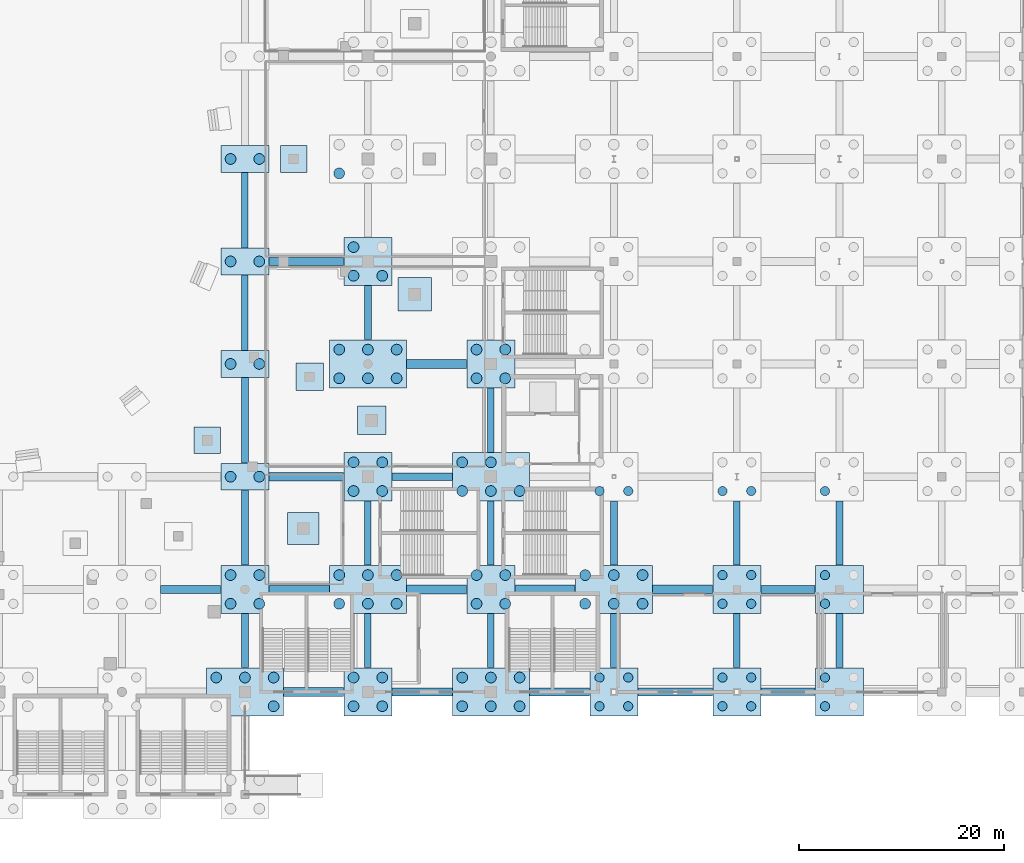
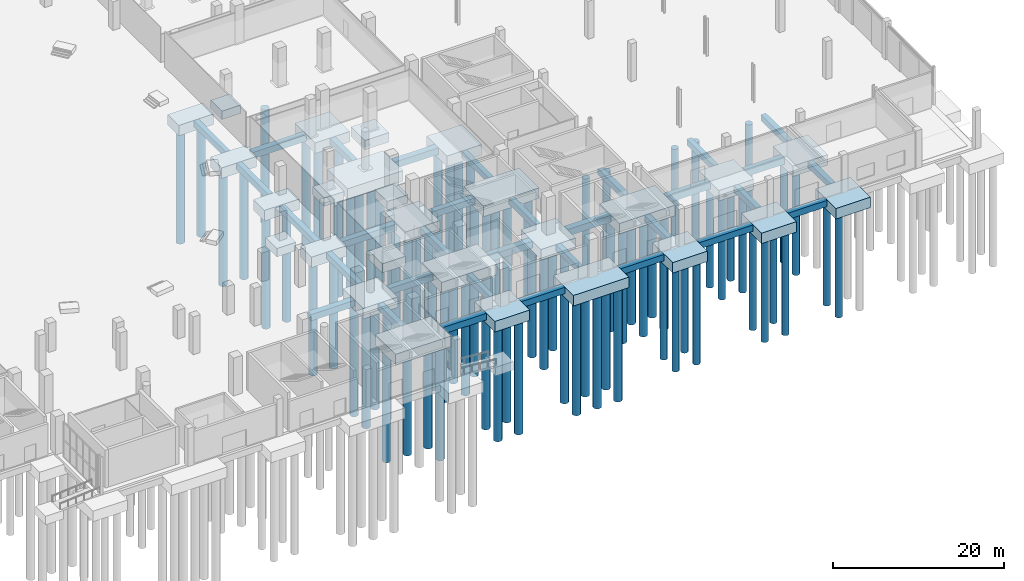
# One storey, part 6 of 70: 86 piles, 59 footings.
"""IFC4 building model written with IfcOpenShell, lengths in metres."""

from ifc_helpers import new_model, si_unit, direction, frame, origin, origin_2d, place, context, subcontext, project, spatial, rectangle, circle, extrude, material, layer, layer_set, material_profile, profile_set, type_object, element, save


model = new_model("IFC4")

# Units and contexts
model_context = context("Model", 3, precision=1e-05, world=origin(), true_north=direction((0.0, 1.0)))
body_context = subcontext(model_context, "Body", "Model", "MODEL_VIEW")
ifc_project = project(units=[si_unit("LENGTHUNIT", "METRE"), si_unit("AREAUNIT", "SQUARE_METRE"), si_unit("VOLUMEUNIT", "CUBIC_METRE"), si_unit("PLANEANGLEUNIT", "RADIAN"), si_unit("MASSUNIT", "GRAM", prefix="KILO")], contexts=[model_context])

# Site, building, storey
site_placement = place(None, origin())
site = spatial("IfcSite", under=ifc_project, at=site_placement, CompositionType="ELEMENT")
building_placement = place(site_placement, origin())
building = spatial("IfcBuilding", under=site, at=building_placement, Name="Brinegate Civic Arena", CompositionType="ELEMENT")
storey_placement = place(building_placement, origin())
storey = spatial("IfcBuildingStorey", under=building, at=storey_placement, Name="L00", CompositionType="ELEMENT", Elevation=0.0)

# Footings
ifc_material = material(Name="Concrete C40/50", Category="concrete")
ifc_layer_1 = layer(ifc_material, 1.5, Name="Concrete C40/50")
ifc_layer_set_1 = layer_set([ifc_layer_1], Name="Concrete C40/50")
footing_type_1 = type_object("IfcFootingType", Name="CAP-2PILE-3800", PredefinedType="PILE_CAP", material=ifc_layer_set_1)
for number, where, z_axis, x_axis, name in (
    (1, (132.0, 31.0, -1.800048828125), (0.0, 0.0, 1.0), (1.0, 0.0, 0.0), "Pile Cap CAP-124 (12-D)"),
    (2, (132.0, 42.0, -1.800048828125), (0.0, 0.0, 1.0), (1.0, 0.0, 0.0), "Pile Cap CAP-125 (12-E)"),
    (3, (132.0, 52.0, -1.800048828125), (0.0, 0.0, 1.0), (1.0, 0.0, 0.0), "Pile Cap CAP-126 (12-F)"),
    (4, (132.0, 62.0, -1.800048828125), (0.0, 0.0, 1.0), (1.0, 0.0, 0.0), "Pile Cap CAP-127 (12-G)"),
):
    element("IfcFooting", number, at=place(storey_placement, frame(where, z_axis=z_axis, x_axis=x_axis)), inside=storey, type_object=footing_type_1, Name=name, PredefinedType="PILE_CAP", context=body_context, shape_type="SweptSolid", body=[
        extrude(rectangle(XDim=4.699951171875, YDim=2.60009765625, at=origin_2d()), origin(), (0.0, 0.0, 1.0), 1.5),
    ])
ifc_layer_2 = layer(ifc_material, 1.5, Name="Concrete C40/50")
ifc_layer_set_2 = layer_set([ifc_layer_2], Name="Concrete C40/50")
footing_type_2 = type_object("IfcFootingType", Name="CAP-4PILE-3800", PredefinedType="PILE_CAP", material=ifc_layer_set_2)
for number, where, z_axis, x_axis, name in (
    (5, (132.0, 20.0, -1.800048828125), (0.0, 0.0, 1.0), (1.0, 0.0, 0.0), "Pile Cap CAP-123 (12-C)"),
    (6, (144.0, 10.0, -1.800048828125), (0.0, 0.0, 1.0), (1.0, 0.0, 0.0), "Pile Cap CAP-134 (13-B)"),
    (7, (144.0, 31.0, -1.800048828125), (0.0, 0.0, 1.0), (1.0, 0.0, 0.0), "Pile Cap CAP-136 (13-D)"),
    (8, (144.0, 52.0, -1.800048828125), (0.0, 0.0, 1.0), (1.0, 0.0, 0.0), "Pile Cap CAP-138 (13-F)"),
    (9, (156.0, 20.0, -1.800048828125), (0.0, 0.0, 1.0), (1.0, 0.0, 0.0), "Pile Cap CAP-146 (14-C)"),
    (10, (156.0, 42.0, -1.800048828125), (0.0, 0.0, 1.0), (1.0, 0.0, 0.0), "Pile Cap CAP-148 (14-E)"),
    (11, (168.0, 10.0, -1.800048828125), (0.0, 0.0, 1.0), (1.0, 0.0, 0.0), "Pile Cap CAP-156 (15-B)"),
    (12, (180.0, 10.0, -1.800048828125), (0.0, 0.0, 1.0), (1.0, 0.0, 0.0), "Pile Cap CAP-167 (16-B)"),
    (13, (180.0, 20.0, -1.800048828125), (0.0, 0.0, 1.0), (1.0, 0.0, 0.0), "Pile Cap CAP-168 (16-C)"),
    (14, (190.0, 10.0, -1.800048828125), (0.0, 0.0, 1.0), (1.0, 0.0, 0.0), "Pile Cap CAP-176 (17-B)"),
    (15, (190.0, 20.0, -1.800048828125), (0.0, 0.0, 1.0), (1.0, 0.0, 0.0), "Pile Cap CAP-177 (17-C)"),
):
    element("IfcFooting", number, at=place(storey_placement, frame(where, z_axis=z_axis, x_axis=x_axis)), inside=storey, type_object=footing_type_2, Name=name, PredefinedType="PILE_CAP", context=body_context, shape_type="SweptSolid", body=[
        extrude(rectangle(XDim=4.699951171875, YDim=4.699951171875, at=origin_2d()), origin(), (0.0, 0.0, 1.0), 1.5),
    ])
ifc_layer_3 = layer(ifc_material, 1.5, Name="Concrete C40/50")
ifc_layer_set_3 = layer_set([ifc_layer_3], Name="Concrete C40/50")
footing_type_3 = type_object("IfcFootingType", Name="CAP-6PILE-5400", PredefinedType="PILE_CAP", material=ifc_layer_set_3)
for number, where, z_axis, x_axis, name in (
    (16, (132.0, 10.0, -1.800048828125), (0.0, 0.0, 1.0), (1.0, 0.0, 0.0), "Pile Cap CAP-122 (12-B)"),
    (17, (144.0, 20.0, -1.800048828125), (0.0, 0.0, 1.0), (1.0, 0.0, 0.0), "Pile Cap CAP-135 (13-C)"),
    (18, (144.0, 42.0, -1.800048828125), (0.0, 0.0, 1.0), (1.0, 0.0, 0.0), "Pile Cap CAP-137 (13-E)"),
    (19, (156.0, 10.0, -1.800048828125), (0.0, 0.0, 1.0), (1.0, 0.0, 0.0), "Pile Cap CAP-145 (14-B)"),
    (20, (156.0, 31.0, -1.800048828125), (0.0, 0.0, 1.0), (1.0, 0.0, 0.0), "Pile Cap CAP-147 (14-D)"),
    (21, (168.0, 20.0, -1.800048828125), (0.0, 0.0, 1.0), (1.0, 0.0, 0.0), "Pile Cap CAP-157 (15-C)"),
):
    element("IfcFooting", number, at=place(storey_placement, frame(where, z_axis=z_axis, x_axis=x_axis)), inside=storey, type_object=footing_type_3, Name=name, PredefinedType="PILE_CAP", context=body_context, shape_type="SweptSolid", body=[
        extrude(rectangle(XDim=7.5, YDim=4.699951171875, at=origin_2d()), origin(), (0.0, 0.0, 1.0), 1.5),
    ])
ifc_layer_4 = layer(ifc_material, 1.199951171875, Name="Concrete C40/50")
ifc_layer_set_4 = layer_set([ifc_layer_4], Name="Concrete C40/50")
footing_type_4 = type_object("IfcFootingType", Name="PAD-FOOT-2600", PredefinedType="PAD_FOOTING", material=ifc_layer_set_4)
for number, where, z_axis, x_axis, name in (
    (22, (136.75, 62.0, -1.5), (0.0, 0.0, 1.0), (1.0, 0.0, 0.0), "Pad Footing PAD-001"),
    (23, (128.3291015625, 34.555908203125, -1.5), (0.0, 0.0, 1.0), (1.0, 0.0, 0.0), "Pad Footing PAD-010"),
):
    element("IfcFooting", number, at=place(storey_placement, frame(where, z_axis=z_axis, x_axis=x_axis)), inside=storey, type_object=footing_type_4, Name=name, PredefinedType="PAD_FOOTING", context=body_context, shape_type="SweptSolid", body=[
        extrude(rectangle(XDim=2.60009765625, YDim=2.60009765625, at=origin_2d()), origin(), (0.0, 0.0, 1.0), 1.199951171875),
    ])
ifc_layer_5 = layer(ifc_material, 1.199951171875, Name="Concrete C40/50")
ifc_layer_set_5 = layer_set([ifc_layer_5], Name="Concrete C40/50")
footing_type_5 = type_object("IfcFootingType", Name="PAD-FOOT-2700", PredefinedType="PAD_FOOTING", material=ifc_layer_set_5)
footing_1_placement = place(storey_placement, frame((138.31103515625, 40.75, -1.5), z_axis=(0.0, 0.0, 1.0), x_axis=(1.0, 0.0, 0.0)))
element("IfcFooting", 24, at=footing_1_placement, inside=storey, type_object=footing_type_5, Name="Pad Footing PAD-018", PredefinedType="PAD_FOOTING", context=body_context, shape_type="SweptSolid", body=[
    extrude(rectangle(XDim=2.699951171875, YDim=2.699951171875, at=origin_2d()), origin(), (0.0, 0.0, 1.0), 1.199951171875),
])
ifc_layer_6 = layer(ifc_material, 1.199951171875, Name="Concrete C40/50")
ifc_layer_set_6 = layer_set([ifc_layer_6], Name="Concrete C40/50")
footing_type_6 = type_object("IfcFootingType", Name="PAD-FOOT-2800", PredefinedType="PAD_FOOTING", material=ifc_layer_set_6)
footing_2_placement = place(storey_placement, frame((144.373046875, 36.5, -1.5), z_axis=(0.0, 0.0, 1.0), x_axis=(1.0, 0.0, 0.0)))
element("IfcFooting", 25, at=footing_2_placement, inside=storey, type_object=footing_type_6, Name="Pad Footing PAD-031", PredefinedType="PAD_FOOTING", context=body_context, shape_type="SweptSolid", body=[
    extrude(rectangle(XDim=2.800048828125, YDim=2.800048828125, at=origin_2d()), origin(), (0.0, 0.0, 1.0), 1.199951171875),
])
ifc_layer_7 = layer(ifc_material, 1.300048828125, Name="Concrete C40/50")
ifc_layer_set_7 = layer_set([ifc_layer_7], Name="Concrete C40/50")
footing_type_7 = type_object("IfcFootingType", Name="PAD-FOOT-3100", PredefinedType="PAD_FOOTING", material=ifc_layer_set_7)
footing_3_placement = place(storey_placement, frame((137.697998046875, 25.93798828125, -1.60009765625), z_axis=(0.0, 0.0, 1.0), x_axis=(1.0, 0.0, 0.0)))
element("IfcFooting", 26, at=footing_3_placement, inside=storey, type_object=footing_type_7, Name="Pad Footing PAD-030", PredefinedType="PAD_FOOTING", context=body_context, shape_type="SweptSolid", body=[
    extrude(rectangle(XDim=3.10009765625, YDim=3.10009765625, at=origin_2d()), origin(), (0.0, 0.0, 1.0), 1.300048828125),
])
ifc_layer_8 = layer(ifc_material, 1.35009765625, Name="Concrete C40/50")
ifc_layer_set_8 = layer_set([ifc_layer_8], Name="Concrete C40/50")
footing_type_8 = type_object("IfcFootingType", Name="PAD-FOOT-3250", PredefinedType="PAD_FOOTING", material=ifc_layer_set_8)
footing_4_placement = place(storey_placement, frame((148.569091796875, 48.800048828125, -1.650146484375), z_axis=(0.0, 0.0, 1.0), x_axis=(1.0, 0.0, 0.0)))
element("IfcFooting", 27, at=footing_4_placement, inside=storey, type_object=footing_type_8, Name="Pad Footing PAD-032", PredefinedType="PAD_FOOTING", context=body_context, shape_type="SweptSolid", body=[
    extrude(rectangle(XDim=3.25, YDim=3.25, at=origin_2d()), origin(), (0.0, 0.0, 1.0), 1.35009765625),
])

# Piles
ifc_material_profile_1 = material_profile(ifc_material, circle(Radius=0.52490234375, at=origin_2d()), Name="PILED1050")
ifc_profile_set_1 = profile_set([ifc_material_profile_1], Name="Concrete C40/50")
pile_type_1 = type_object("IfcPileType", Name="PILE-BORED-1050", PredefinedType="BORED", material=ifc_profile_set_1)
for number, where, z_axis, x_axis, name in (
    (28, (134.800048828125, 8.60009765625, -1.699951171875), (0.0, 0.0, -1.0), (1.0, 0.0, 0.0), "Bored Socket Pile PIL-0429"),
    (29, (129.199951171875, 11.39990234375, -1.699951171875), (0.0, 0.0, -1.0), (1.0, 0.0, 0.0), "Bored Socket Pile PIL-0430"),
    (30, (132.0, 11.39990234375, -1.699951171875), (0.0, 0.0, -1.0), (1.0, 0.0, 0.0), "Bored Socket Pile PIL-0431"),
    (31, (134.800048828125, 11.39990234375, -1.699951171875), (0.0, 0.0, -1.0), (1.0, 0.0, 0.0), "Bored Socket Pile PIL-0432"),
    (32, (130.60009765625, 18.60009765625, -1.699951171875), (0.0, 0.0, -1.0), (1.0, 0.0, 0.0), "Bored Socket Pile PIL-0433"),
    (33, (133.39990234375, 18.60009765625, -1.699951171875), (0.0, 0.0, -1.0), (1.0, 0.0, 0.0), "Bored Socket Pile PIL-0434"),
    (34, (130.60009765625, 21.39990234375, -1.699951171875), (0.0, 0.0, -1.0), (1.0, 0.0, 0.0), "Bored Socket Pile PIL-0435"),
    (35, (133.39990234375, 21.39990234375, -1.699951171875), (0.0, 0.0, -1.0), (1.0, 0.0, 0.0), "Bored Socket Pile PIL-0436"),
    (36, (130.60009765625, 31.0, -1.699951171875), (0.0, 0.0, -1.0), (1.0, 0.0, 0.0), "Bored Socket Pile PIL-0437"),
    (37, (133.39990234375, 31.0, -1.699951171875), (0.0, 0.0, -1.0), (1.0, 0.0, 0.0), "Bored Socket Pile PIL-0438"),
    (38, (130.60009765625, 42.0, -1.699951171875), (0.0, 0.0, -1.0), (1.0, 0.0, 0.0), "Bored Socket Pile PIL-0439"),
    (39, (133.39990234375, 42.0, -1.699951171875), (0.0, 0.0, -1.0), (1.0, 0.0, 0.0), "Bored Socket Pile PIL-0440"),
    (40, (130.60009765625, 52.0, -1.699951171875), (0.0, 0.0, -1.0), (1.0, 0.0, 0.0), "Bored Socket Pile PIL-0441"),
    (41, (133.39990234375, 52.0, -1.699951171875), (0.0, 0.0, -1.0), (1.0, 0.0, 0.0), "Bored Socket Pile PIL-0442"),
    (42, (130.60009765625, 62.0, -1.699951171875), (0.0, 0.0, -1.0), (1.0, 0.0, 0.0), "Bored Socket Pile PIL-0443"),
    (43, (133.39990234375, 62.0, -1.699951171875), (0.0, 0.0, -1.0), (1.0, 0.0, 0.0), "Bored Socket Pile PIL-0444"),
    (44, (142.60009765625, 8.60009765625, -1.699951171875), (0.0, 0.0, -1.0), (1.0, 0.0, 0.0), "Bored Socket Pile PIL-0465"),
    (45, (145.39990234375, 8.60009765625, -1.699951171875), (0.0, 0.0, -1.0), (1.0, 0.0, 0.0), "Bored Socket Pile PIL-0466"),
    (46, (142.60009765625, 11.39990234375, -1.699951171875), (0.0, 0.0, -1.0), (1.0, 0.0, 0.0), "Bored Socket Pile PIL-0467"),
    (47, (145.39990234375, 11.39990234375, -1.699951171875), (0.0, 0.0, -1.0), (1.0, 0.0, 0.0), "Bored Socket Pile PIL-0468"),
    (48, (141.199951171875, 18.60009765625, -1.699951171875), (0.0, 0.0, -1.0), (1.0, 0.0, 0.0), "Bored Socket Pile PIL-0469"),
    (49, (144.0, 18.60009765625, -1.699951171875), (0.0, 0.0, -1.0), (1.0, 0.0, 0.0), "Bored Socket Pile PIL-0470"),
    (50, (146.800048828125, 18.60009765625, -1.699951171875), (0.0, 0.0, -1.0), (1.0, 0.0, 0.0), "Bored Socket Pile PIL-0471"),
    (51, (141.199951171875, 21.39990234375, -1.699951171875), (0.0, 0.0, -1.0), (1.0, 0.0, 0.0), "Bored Socket Pile PIL-0472"),
    (52, (144.0, 21.39990234375, -1.699951171875), (0.0, 0.0, -1.0), (1.0, 0.0, 0.0), "Bored Socket Pile PIL-0473"),
    (53, (146.800048828125, 21.39990234375, -1.699951171875), (0.0, 0.0, -1.0), (1.0, 0.0, 0.0), "Bored Socket Pile PIL-0474"),
    (54, (142.60009765625, 29.60009765625, -1.699951171875), (0.0, 0.0, -1.0), (1.0, 0.0, 0.0), "Bored Socket Pile PIL-0475"),
    (55, (145.39990234375, 29.60009765625, -1.699951171875), (0.0, 0.0, -1.0), (1.0, 0.0, 0.0), "Bored Socket Pile PIL-0476"),
    (56, (142.60009765625, 32.39990234375, -1.699951171875), (0.0, 0.0, -1.0), (1.0, 0.0, 0.0), "Bored Socket Pile PIL-0477"),
    (57, (145.39990234375, 32.39990234375, -1.699951171875), (0.0, 0.0, -1.0), (1.0, 0.0, 0.0), "Bored Socket Pile PIL-0478"),
    (58, (141.199951171875, 40.60009765625, -1.699951171875), (0.0, 0.0, -1.0), (1.0, 0.0, 0.0), "Bored Socket Pile PIL-0479"),
    (59, (144.0, 40.60009765625, -1.699951171875), (0.0, 0.0, -1.0), (1.0, 0.0, 0.0), "Bored Socket Pile PIL-0480"),
    (60, (146.800048828125, 40.60009765625, -1.699951171875), (0.0, 0.0, -1.0), (1.0, 0.0, 0.0), "Bored Socket Pile PIL-0481"),
    (61, (141.199951171875, 43.39990234375, -1.699951171875), (0.0, 0.0, -1.0), (1.0, 0.0, 0.0), "Bored Socket Pile PIL-0482"),
    (62, (144.0, 43.39990234375, -1.699951171875), (0.0, 0.0, -1.0), (1.0, 0.0, 0.0), "Bored Socket Pile PIL-0483"),
    (63, (146.800048828125, 43.39990234375, -1.699951171875), (0.0, 0.0, -1.0), (1.0, 0.0, 0.0), "Bored Socket Pile PIL-0484"),
    (64, (142.60009765625, 50.60009765625, -1.699951171875), (0.0, 0.0, -1.0), (1.0, 0.0, 0.0), "Bored Socket Pile PIL-0485"),
    (65, (145.39990234375, 50.60009765625, -1.699951171875), (0.0, 0.0, -1.0), (1.0, 0.0, 0.0), "Bored Socket Pile PIL-0486"),
    (66, (142.60009765625, 53.39990234375, -1.699951171875), (0.0, 0.0, -1.0), (1.0, 0.0, 0.0), "Bored Socket Pile PIL-0487"),
    (67, (141.199951171875, 60.60009765625, -1.699951171875), (0.0, 0.0, -1.0), (1.0, 0.0, 0.0), "Bored Socket Pile PIL-0489"),
    (68, (153.199951171875, 8.60009765625, -1.699951171875), (0.0, 0.0, -1.0), (1.0, 0.0, 0.0), "Bored Socket Pile PIL-0519"),
    (69, (156.0, 8.60009765625, -1.699951171875), (0.0, 0.0, -1.0), (1.0, 0.0, 0.0), "Bored Socket Pile PIL-0520"),
    (70, (158.800048828125, 8.60009765625, -1.699951171875), (0.0, 0.0, -1.0), (1.0, 0.0, 0.0), "Bored Socket Pile PIL-0521"),
    (71, (153.199951171875, 11.39990234375, -1.699951171875), (0.0, 0.0, -1.0), (1.0, 0.0, 0.0), "Bored Socket Pile PIL-0522"),
    (72, (156.0, 11.39990234375, -1.699951171875), (0.0, 0.0, -1.0), (1.0, 0.0, 0.0), "Bored Socket Pile PIL-0523"),
    (73, (158.800048828125, 11.39990234375, -1.699951171875), (0.0, 0.0, -1.0), (1.0, 0.0, 0.0), "Bored Socket Pile PIL-0524"),
    (74, (154.60009765625, 18.60009765625, -1.699951171875), (0.0, 0.0, -1.0), (1.0, 0.0, 0.0), "Bored Socket Pile PIL-0525"),
    (75, (157.39990234375, 18.60009765625, -1.699951171875), (0.0, 0.0, -1.0), (1.0, 0.0, 0.0), "Bored Socket Pile PIL-0526"),
    (76, (154.60009765625, 21.39990234375, -1.699951171875), (0.0, 0.0, -1.0), (1.0, 0.0, 0.0), "Bored Socket Pile PIL-0527"),
    (77, (157.39990234375, 21.39990234375, -1.699951171875), (0.0, 0.0, -1.0), (1.0, 0.0, 0.0), "Bored Socket Pile PIL-0528"),
    (78, (153.199951171875, 29.60009765625, -1.699951171875), (0.0, 0.0, -1.0), (1.0, 0.0, 0.0), "Bored Socket Pile PIL-0529"),
    (79, (156.0, 29.60009765625, -1.699951171875), (0.0, 0.0, -1.0), (1.0, 0.0, 0.0), "Bored Socket Pile PIL-0530"),
    (80, (158.800048828125, 29.60009765625, -1.699951171875), (0.0, 0.0, -1.0), (1.0, 0.0, 0.0), "Bored Socket Pile PIL-0531"),
    (81, (153.199951171875, 32.39990234375, -1.699951171875), (0.0, 0.0, -1.0), (1.0, 0.0, 0.0), "Bored Socket Pile PIL-0532"),
    (82, (156.0, 32.39990234375, -1.699951171875), (0.0, 0.0, -1.0), (1.0, 0.0, 0.0), "Bored Socket Pile PIL-0533"),
    (83, (154.60009765625, 40.60009765625, -1.699951171875), (0.0, 0.0, -1.0), (1.0, 0.0, 0.0), "Bored Socket Pile PIL-0535"),
    (84, (157.39990234375, 40.60009765625, -1.699951171875), (0.0, 0.0, -1.0), (1.0, 0.0, 0.0), "Bored Socket Pile PIL-0536"),
    (85, (154.60009765625, 43.39990234375, -1.699951171875), (0.0, 0.0, -1.0), (1.0, 0.0, 0.0), "Bored Socket Pile PIL-0537"),
    (86, (157.39990234375, 43.39990234375, -1.699951171875), (0.0, 0.0, -1.0), (1.0, 0.0, 0.0), "Bored Socket Pile PIL-0538"),
    (87, (165.199951171875, 18.60009765625, -1.699951171875), (0.0, 0.0, -1.0), (1.0, 0.0, 0.0), "Bored Socket Pile PIL-0579"),
    (88, (168.0, 18.60009765625, -1.699951171875), (0.0, 0.0, -1.0), (1.0, 0.0, 0.0), "Bored Socket Pile PIL-0580"),
    (89, (170.800048828125, 18.60009765625, -1.699951171875), (0.0, 0.0, -1.0), (1.0, 0.0, 0.0), "Bored Socket Pile PIL-0581"),
    (90, (165.199951171875, 21.39990234375, -1.699951171875), (0.0, 0.0, -1.0), (1.0, 0.0, 0.0), "Bored Socket Pile PIL-0582"),
    (91, (168.0, 21.39990234375, -1.699951171875), (0.0, 0.0, -1.0), (1.0, 0.0, 0.0), "Bored Socket Pile PIL-0583"),
    (92, (170.800048828125, 21.39990234375, -1.699951171875), (0.0, 0.0, -1.0), (1.0, 0.0, 0.0), "Bored Socket Pile PIL-0584"),
):
    element("IfcPile", number, at=place(storey_placement, frame(where, z_axis=z_axis, x_axis=x_axis)), inside=storey, type_object=pile_type_1, Name=name, PredefinedType="BORED", context=body_context, shape_type="SweptSolid", body=[
        extrude(circle(Radius=0.52490234375, at=origin_2d()), origin(), (0.0, 0.0, 1.0), 16.300048828125),
    ])
ifc_material_profile_2 = material_profile(ifc_material, circle(Radius=0.449951171875, at=origin_2d()), Name="PILED900")
ifc_profile_set_2 = profile_set([ifc_material_profile_2], Name="Concrete C40/50")
pile_type_2 = type_object("IfcPileType", Name="PILE-BORED-900", PredefinedType="BORED", material=ifc_profile_set_2)
for number, where, z_axis, x_axis, name in (
    (93, (166.60009765625, 8.60009765625, -1.699951171875), (0.0, 0.0, -1.0), (1.0, 0.0, 0.0), "Bored Socket Pile PIL-0575"),
    (94, (169.39990234375, 8.60009765625, -1.699951171875), (0.0, 0.0, -1.0), (1.0, 0.0, 0.0), "Bored Socket Pile PIL-0576"),
    (95, (166.60009765625, 11.39990234375, -1.699951171875), (0.0, 0.0, -1.0), (1.0, 0.0, 0.0), "Bored Socket Pile PIL-0577"),
    (96, (169.39990234375, 11.39990234375, -1.699951171875), (0.0, 0.0, -1.0), (1.0, 0.0, 0.0), "Bored Socket Pile PIL-0578"),
    (97, (166.60009765625, 29.60009765625, -1.699951171875), (0.0, 0.0, -1.0), (1.0, 0.0, 0.0), "Bored Socket Pile PIL-0585"),
    (98, (169.39990234375, 29.60009765625, -1.699951171875), (0.0, 0.0, -1.0), (1.0, 0.0, 0.0), "Bored Socket Pile PIL-0586"),
    (99, (178.60009765625, 8.60009765625, -1.699951171875), (0.0, 0.0, -1.0), (1.0, 0.0, 0.0), "Bored Socket Pile PIL-0629"),
    (100, (181.39990234375, 8.60009765625, -1.699951171875), (0.0, 0.0, -1.0), (1.0, 0.0, 0.0), "Bored Socket Pile PIL-0630"),
    (101, (178.60009765625, 11.39990234375, -1.699951171875), (0.0, 0.0, -1.0), (1.0, 0.0, 0.0), "Bored Socket Pile PIL-0631"),
    (102, (181.39990234375, 11.39990234375, -1.699951171875), (0.0, 0.0, -1.0), (1.0, 0.0, 0.0), "Bored Socket Pile PIL-0632"),
    (103, (178.60009765625, 18.60009765625, -1.699951171875), (0.0, 0.0, -1.0), (1.0, 0.0, 0.0), "Bored Socket Pile PIL-0633"),
    (104, (181.39990234375, 18.60009765625, -1.699951171875), (0.0, 0.0, -1.0), (1.0, 0.0, 0.0), "Bored Socket Pile PIL-0634"),
    (105, (178.60009765625, 21.39990234375, -1.699951171875), (0.0, 0.0, -1.0), (1.0, 0.0, 0.0), "Bored Socket Pile PIL-0635"),
    (106, (181.39990234375, 21.39990234375, -1.699951171875), (0.0, 0.0, -1.0), (1.0, 0.0, 0.0), "Bored Socket Pile PIL-0636"),
    (107, (178.60009765625, 29.60009765625, -1.699951171875), (0.0, 0.0, -1.0), (1.0, 0.0, 0.0), "Bored Socket Pile PIL-0637"),
    (108, (181.39990234375, 29.60009765625, -1.699951171875), (0.0, 0.0, -1.0), (1.0, 0.0, 0.0), "Bored Socket Pile PIL-0638"),
    (109, (188.60009765625, 8.60009765625, -1.699951171875), (0.0, 0.0, -1.0), (1.0, 0.0, 0.0), "Bored Socket Pile PIL-0665"),
    (110, (188.60009765625, 11.39990234375, -1.699951171875), (0.0, 0.0, -1.0), (1.0, 0.0, 0.0), "Bored Socket Pile PIL-0667"),
    (111, (188.60009765625, 18.60009765625, -1.699951171875), (0.0, 0.0, -1.0), (1.0, 0.0, 0.0), "Bored Socket Pile PIL-0669"),
    (112, (188.60009765625, 21.39990234375, -1.699951171875), (0.0, 0.0, -1.0), (1.0, 0.0, 0.0), "Bored Socket Pile PIL-0671"),
    (113, (188.60009765625, 29.60009765625, -1.699951171875), (0.0, 0.0, -1.0), (1.0, 0.0, 0.0), "Bored Socket Pile PIL-0673"),
):
    element("IfcPile", number, at=place(storey_placement, frame(where, z_axis=z_axis, x_axis=x_axis)), inside=storey, type_object=pile_type_2, Name=name, PredefinedType="BORED", context=body_context, shape_type="SweptSolid", body=[
        extrude(circle(Radius=0.449951171875, at=origin_2d()), origin(), (0.0, 0.0, 1.0), 14.800048828125),
    ])

# Footings
ifc_layer_9 = layer(ifc_material, 0.89990234375, Name="Concrete C40/50")
ifc_layer_set_9 = layer_set([ifc_layer_9], Name="Concrete C40/50")
footing_type_9 = type_object("IfcFootingType", Name="TIE-BEAM-650X900", PredefinedType="FOOTING_BEAM", material=ifc_layer_set_9)
for number, where, z_axis, x_axis, name in (
    (114, (132.0, 47.0, -1.199951171875), (0.0, 0.0, 1.0), (0.0, 1.0, 0.0), "Ground Tie Beam GTB-212"),
    (115, (132.0, 57.0, -1.199951171875), (0.0, 0.0, 1.0), (0.0, 1.0, 0.0), "Ground Tie Beam GTB-214"),
):
    element("IfcFooting", number, at=place(storey_placement, frame(where, z_axis=z_axis, x_axis=x_axis)), inside=storey, type_object=footing_type_9, Name=name, PredefinedType="FOOTING_BEAM", context=body_context, shape_type="SweptSolid", body=[
        extrude(rectangle(XDim=7.360107421875, YDim=0.64990234375, at=origin_2d()), origin(), (0.0, 0.0, 1.0), 0.89990234375),
    ])
footing_5_placement = place(storey_placement, frame((144.0, 15.0, -1.199951171875), z_axis=(0.0, 0.0, 1.0), x_axis=(0.0, 1.0, 0.0)))
element("IfcFooting", 116, at=footing_5_placement, inside=storey, type_object=footing_type_9, Name="Ground Tie Beam GTB-226", PredefinedType="FOOTING_BEAM", context=body_context, shape_type="SweptSolid", body=[
    extrude(rectangle(XDim=5.260009765625, YDim=0.64990234375, at=origin_2d()), origin(), (0.0, 0.0, 1.0), 0.89990234375),
])
footing_6_placement = place(storey_placement, frame((144.0, 25.5, -1.199951171875), z_axis=(0.0, 0.0, 1.0), x_axis=(0.0, 1.0, 0.0)))
element("IfcFooting", 117, at=footing_6_placement, inside=storey, type_object=footing_type_9, Name="Ground Tie Beam GTB-228", PredefinedType="FOOTING_BEAM", context=body_context, shape_type="SweptSolid", body=[
    extrude(rectangle(XDim=6.260009765625, YDim=0.64990234375, at=origin_2d()), origin(), (0.0, 0.0, 1.0), 0.89990234375),
])
footing_7_placement = place(storey_placement, frame((156.0, 15.0, -1.199951171875), z_axis=(0.0, 0.0, 1.0), x_axis=(0.0, 1.0, 0.0)))
element("IfcFooting", 118, at=footing_7_placement, inside=storey, type_object=footing_type_9, Name="Ground Tie Beam GTB-244", PredefinedType="FOOTING_BEAM", context=body_context, shape_type="SweptSolid", body=[
    extrude(rectangle(XDim=5.260009765625, YDim=0.64990234375, at=origin_2d()), origin(), (0.0, 0.0, 1.0), 0.89990234375),
])
for number, where, z_axis, x_axis, name in (
    (119, (156.0, 25.5, -1.199951171875), (0.0, 0.0, 1.0), (0.0, 1.0, 0.0), "Ground Tie Beam GTB-246"),
    (120, (156.0, 36.5, -1.199951171875), (0.0, 0.0, 1.0), (0.0, 1.0, 0.0), "Ground Tie Beam GTB-248"),
):
    element("IfcFooting", number, at=place(storey_placement, frame(where, z_axis=z_axis, x_axis=x_axis)), inside=storey, type_object=footing_type_9, Name=name, PredefinedType="FOOTING_BEAM", context=body_context, shape_type="SweptSolid", body=[
        extrude(rectangle(XDim=6.260009765625, YDim=0.64990234375, at=origin_2d()), origin(), (0.0, 0.0, 1.0), 0.89990234375),
    ])
footing_8_placement = place(storey_placement, frame((180.0, 15.0, -1.199951171875), z_axis=(0.0, 0.0, 1.0), x_axis=(0.0, 1.0, 0.0)))
element("IfcFooting", 121, at=footing_8_placement, inside=storey, type_object=footing_type_9, Name="Ground Tie Beam GTB-284", PredefinedType="FOOTING_BEAM", context=body_context, shape_type="SweptSolid", body=[
    extrude(rectangle(XDim=5.260009765625, YDim=0.64990234375, at=origin_2d()), origin(), (0.0, 0.0, 1.0), 0.89990234375),
])
footing_9_placement = place(storey_placement, frame((180.0, 25.5, -1.199951171875), z_axis=(0.0, 0.0, 1.0), x_axis=(0.0, 1.0, 0.0)))
element("IfcFooting", 122, at=footing_9_placement, inside=storey, type_object=footing_type_9, Name="Ground Tie Beam GTB-286", PredefinedType="FOOTING_BEAM", context=body_context, shape_type="SweptSolid", body=[
    extrude(rectangle(XDim=6.260009765625, YDim=0.64990234375, at=origin_2d()), origin(), (0.0, 0.0, 1.0), 0.89990234375),
])
ifc_layer_10 = layer(ifc_material, 0.85009765625, Name="Concrete C40/50")
ifc_layer_set_10 = layer_set([ifc_layer_10], Name="Concrete C40/50")
footing_type_10 = type_object("IfcFootingType", Name="TIE-BEAM-700X850", PredefinedType="FOOTING_BEAM", material=ifc_layer_set_10)
footing_10_placement = place(storey_placement, frame((132.0, 15.0, -1.175048828125), z_axis=(0.0, 0.0, 1.0), x_axis=(0.0, 1.0, 0.0)))
element("IfcFooting", 123, at=footing_10_placement, inside=storey, type_object=footing_type_10, Name="Ground Tie Beam GTB-207", PredefinedType="FOOTING_BEAM", context=body_context, shape_type="SweptSolid", body=[
    extrude(rectangle(XDim=5.260009765625, YDim=0.699951171875, at=origin_2d()), origin(), (0.0, 0.0, 1.0), 0.85009765625),
])
footing_11_placement = place(storey_placement, frame((132.0, 26.02490234375, -1.175048828125), z_axis=(0.0, 0.0, 1.0), x_axis=(0.0, 1.0, 0.0)))
element("IfcFooting", 124, at=footing_11_placement, inside=storey, type_object=footing_type_10, Name="Ground Tie Beam GTB-209", PredefinedType="FOOTING_BEAM", context=body_context, shape_type="SweptSolid", body=[
    extrude(rectangle(XDim=7.31005859375, YDim=0.699951171875, at=origin_2d()), origin(), (0.0, 0.0, 1.0), 0.85009765625),
])
footing_12_placement = place(storey_placement, frame((132.0, 36.5, -1.175048828125), z_axis=(0.0, 0.0, 1.0), x_axis=(0.0, 1.0, 0.0)))
element("IfcFooting", 125, at=footing_12_placement, inside=storey, type_object=footing_type_10, Name="Ground Tie Beam GTB-211", PredefinedType="FOOTING_BEAM", context=body_context, shape_type="SweptSolid", body=[
    extrude(rectangle(XDim=8.360107421875, YDim=0.699951171875, at=origin_2d()), origin(), (0.0, 0.0, 1.0), 0.85009765625),
])
for number, where, z_axis, x_axis, name in (
    (126, (144.0, 47.0, -1.175048828125), (0.0, 0.0, 1.0), (0.0, 1.0, 0.0), "Ground Tie Beam GTB-231"),
    (127, (168.0, 15.0, -1.175048828125), (0.0, 0.0, 1.0), (0.0, 1.0, 0.0), "Ground Tie Beam GTB-265"),
):
    element("IfcFooting", number, at=place(storey_placement, frame(where, z_axis=z_axis, x_axis=x_axis)), inside=storey, type_object=footing_type_10, Name=name, PredefinedType="FOOTING_BEAM", context=body_context, shape_type="SweptSolid", body=[
        extrude(rectangle(XDim=5.260009765625, YDim=0.699951171875, at=origin_2d()), origin(), (0.0, 0.0, 1.0), 0.85009765625),
    ])
footing_13_placement = place(storey_placement, frame((168.0, 25.5, -1.175048828125), z_axis=(0.0, 0.0, 1.0), x_axis=(0.0, 1.0, 0.0)))
element("IfcFooting", 128, at=footing_13_placement, inside=storey, type_object=footing_type_10, Name="Ground Tie Beam GTB-267", PredefinedType="FOOTING_BEAM", context=body_context, shape_type="SweptSolid", body=[
    extrude(rectangle(XDim=6.260009765625, YDim=0.699951171875, at=origin_2d()), origin(), (0.0, 0.0, 1.0), 0.85009765625),
])
footing_14_placement = place(storey_placement, frame((190.0, 15.0, -1.175048828125), z_axis=(0.0, 0.0, 1.0), x_axis=(0.0, 1.0, 0.0)))
element("IfcFooting", 129, at=footing_14_placement, inside=storey, type_object=footing_type_10, Name="Ground Tie Beam GTB-301", PredefinedType="FOOTING_BEAM", context=body_context, shape_type="SweptSolid", body=[
    extrude(rectangle(XDim=5.260009765625, YDim=0.699951171875, at=origin_2d()), origin(), (0.0, 0.0, 1.0), 0.85009765625),
])
footing_15_placement = place(storey_placement, frame((190.0, 25.5, -1.175048828125), z_axis=(0.0, 0.0, 1.0), x_axis=(0.0, 1.0, 0.0)))
element("IfcFooting", 130, at=footing_15_placement, inside=storey, type_object=footing_type_10, Name="Ground Tie Beam GTB-303", PredefinedType="FOOTING_BEAM", context=body_context, shape_type="SweptSolid", body=[
    extrude(rectangle(XDim=6.260009765625, YDim=0.699951171875, at=origin_2d()), origin(), (0.0, 0.0, 1.0), 0.85009765625),
])
ifc_layer_11 = layer(ifc_material, 0.89990234375, Name="Concrete C40/50")
ifc_layer_set_11 = layer_set([ifc_layer_11], Name="Concrete C40/50")
footing_type_11 = type_object("IfcFootingType", Name="TIE-BEAM-750X900", PredefinedType="FOOTING_BEAM", material=ifc_layer_set_11)
for number, where, z_axis, x_axis, name in (
    (131, (137.300048828125, 20.0, -1.199951171875), (0.0, 0.0, 1.0), (1.0, 0.0, 0.0), "Ground Tie Beam GTB-208"),
    (132, (149.300048828125, 31.0, -1.199951171875), (0.0, 0.0, 1.0), (1.0, 0.0, 0.0), "Ground Tie Beam GTB-229"),
):
    element("IfcFooting", number, at=place(storey_placement, frame(where, z_axis=z_axis, x_axis=x_axis)), inside=storey, type_object=footing_type_11, Name=name, PredefinedType="FOOTING_BEAM", context=body_context, shape_type="SweptSolid", body=[
        extrude(rectangle(XDim=5.860107421875, YDim=0.75, at=origin_2d()), origin(), (0.0, 0.0, 1.0), 0.89990234375),
    ])
footing_16_placement = place(storey_placement, frame((185.0, 10.0, -1.199951171875), z_axis=(0.0, 0.0, 1.0), x_axis=(1.0, 0.0, 0.0)))
element("IfcFooting", 133, at=footing_16_placement, inside=storey, type_object=footing_type_11, Name="Ground Tie Beam GTB-283", PredefinedType="FOOTING_BEAM", context=body_context, shape_type="SweptSolid", body=[
    extrude(rectangle(XDim=5.260009765625, YDim=0.75, at=origin_2d()), origin(), (0.0, 0.0, 1.0), 0.89990234375),
])
ifc_layer_12 = layer(ifc_material, 0.89990234375, Name="Concrete C40/50")
ifc_layer_set_12 = layer_set([ifc_layer_12], Name="Concrete C40/50")
footing_type_12 = type_object("IfcFootingType", Name="TIE-BEAM-800X900", PredefinedType="FOOTING_BEAM", material=ifc_layer_set_12)
footing_17_placement = place(storey_placement, frame((126.699951171875, 20.0, -1.199951171875), z_axis=(0.0, 0.0, 1.0), x_axis=(1.0, 0.0, 0.0)))
element("IfcFooting", 134, at=footing_17_placement, inside=storey, type_object=footing_type_12, Name="Ground Tie Beam GTB-195", PredefinedType="FOOTING_BEAM", context=body_context, shape_type="SweptSolid", body=[
    extrude(rectangle(XDim=5.860107421875, YDim=0.800048828125, at=origin_2d()), origin(), (0.0, 0.0, 1.0), 0.89990234375),
])
for number, where, z_axis, x_axis, name in (
    (135, (138.0, 31.0, -1.199951171875), (0.0, 0.0, 1.0), (1.0, 0.0, 0.0), "Ground Tie Beam GTB-210"),
    (136, (138.0, 52.0, -1.199951171875), (0.0, 0.0, 1.0), (1.0, 0.0, 0.0), "Ground Tie Beam GTB-213"),
):
    element("IfcFooting", number, at=place(storey_placement, frame(where, z_axis=z_axis, x_axis=x_axis)), inside=storey, type_object=footing_type_12, Name=name, PredefinedType="FOOTING_BEAM", context=body_context, shape_type="SweptSolid", body=[
        extrude(rectangle(XDim=7.260009765625, YDim=0.800048828125, at=origin_2d()), origin(), (0.0, 0.0, 1.0), 0.89990234375),
    ])
for number, where, z_axis, x_axis, name in (
    (137, (149.300048828125, 10.0, -1.199951171875), (0.0, 0.0, 1.0), (1.0, 0.0, 0.0), "Ground Tie Beam GTB-225"),
    (138, (162.699951171875, 10.0, -1.199951171875), (0.0, 0.0, 1.0), (1.0, 0.0, 0.0), "Ground Tie Beam GTB-243"),
):
    element("IfcFooting", number, at=place(storey_placement, frame(where, z_axis=z_axis, x_axis=x_axis)), inside=storey, type_object=footing_type_12, Name=name, PredefinedType="FOOTING_BEAM", context=body_context, shape_type="SweptSolid", body=[
        extrude(rectangle(XDim=5.860107421875, YDim=0.800048828125, at=origin_2d()), origin(), (0.0, 0.0, 1.0), 0.89990234375),
    ])
footing_18_placement = place(storey_placement, frame((174.0, 10.0, -1.199951171875), z_axis=(0.0, 0.0, 1.0), x_axis=(1.0, 0.0, 0.0)))
element("IfcFooting", 139, at=footing_18_placement, inside=storey, type_object=footing_type_12, Name="Ground Tie Beam GTB-264", PredefinedType="FOOTING_BEAM", context=body_context, shape_type="SweptSolid", body=[
    extrude(rectangle(XDim=7.260009765625, YDim=0.800048828125, at=origin_2d()), origin(), (0.0, 0.0, 1.0), 0.89990234375),
])
footing_19_placement = place(storey_placement, frame((185.0, 20.0, -1.199951171875), z_axis=(0.0, 0.0, 1.0), x_axis=(1.0, 0.0, 0.0)))
element("IfcFooting", 140, at=footing_19_placement, inside=storey, type_object=footing_type_12, Name="Ground Tie Beam GTB-285", PredefinedType="FOOTING_BEAM", context=body_context, shape_type="SweptSolid", body=[
    extrude(rectangle(XDim=5.260009765625, YDim=0.800048828125, at=origin_2d()), origin(), (0.0, 0.0, 1.0), 0.89990234375),
])
ifc_layer_13 = layer(ifc_material, 0.949951171875, Name="Concrete C40/50")
ifc_layer_set_13 = layer_set([ifc_layer_13], Name="Concrete C40/50")
footing_type_13 = type_object("IfcFootingType", Name="TIE-BEAM-850X950", PredefinedType="FOOTING_BEAM", material=ifc_layer_set_13)
for number, where, z_axis, x_axis, name in (
    (141, (138.699951171875, 10.0, -1.22509765625), (0.0, 0.0, 1.0), (1.0, 0.0, 0.0), "Ground Tie Beam GTB-206"),
    (142, (150.699951171875, 20.0, -1.22509765625), (0.0, 0.0, 1.0), (1.0, 0.0, 0.0), "Ground Tie Beam GTB-227"),
    (143, (150.699951171875, 42.0, -1.22509765625), (0.0, 0.0, 1.0), (1.0, 0.0, 0.0), "Ground Tie Beam GTB-230"),
    (144, (161.300048828125, 20.0, -1.22509765625), (0.0, 0.0, 1.0), (1.0, 0.0, 0.0), "Ground Tie Beam GTB-245"),
    (145, (174.699951171875, 20.0, -1.22509765625), (0.0, 0.0, 1.0), (1.0, 0.0, 0.0), "Ground Tie Beam GTB-266"),
):
    element("IfcFooting", number, at=place(storey_placement, frame(where, z_axis=z_axis, x_axis=x_axis)), inside=storey, type_object=footing_type_13, Name=name, PredefinedType="FOOTING_BEAM", context=body_context, shape_type="SweptSolid", body=[
        extrude(rectangle(XDim=5.860107421875, YDim=0.85009765625, at=origin_2d()), origin(), (0.0, 0.0, 1.0), 0.949951171875),
    ])

save(model, "model.ifc")
